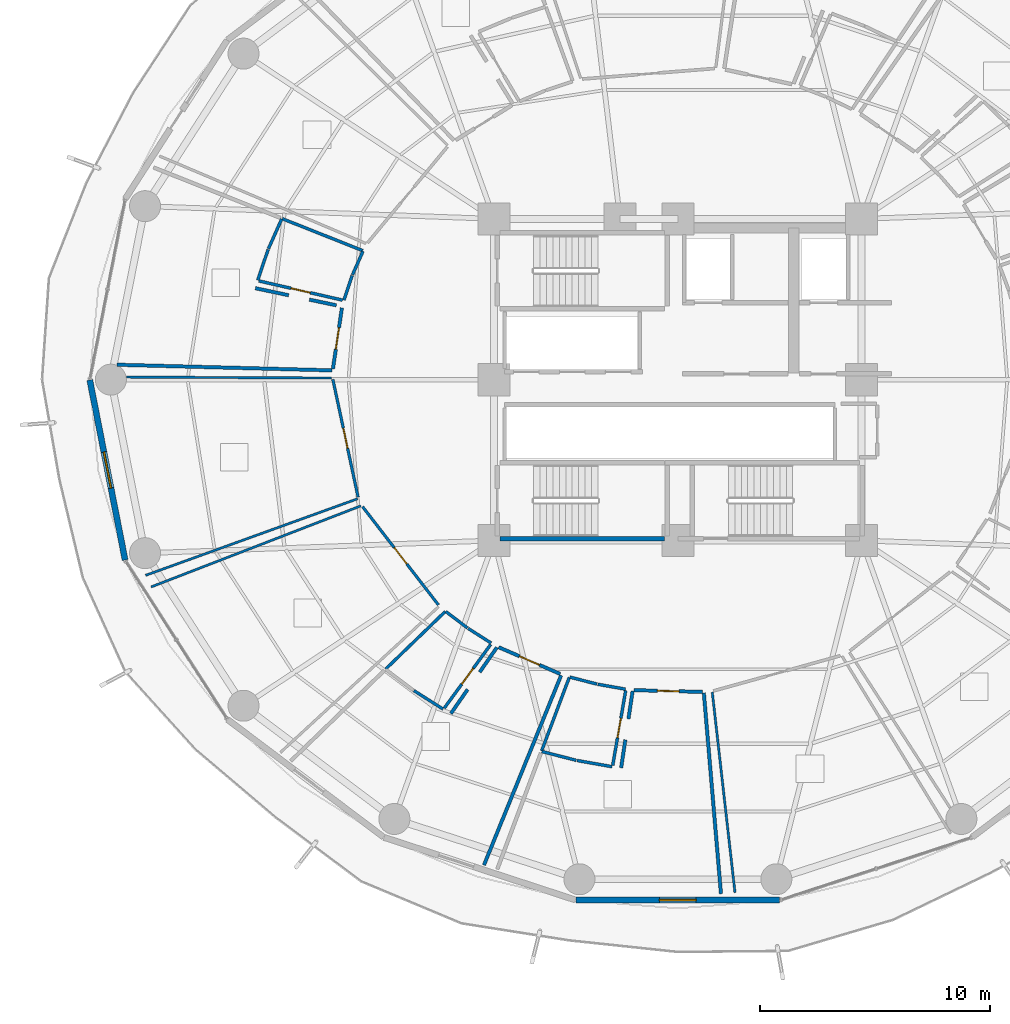
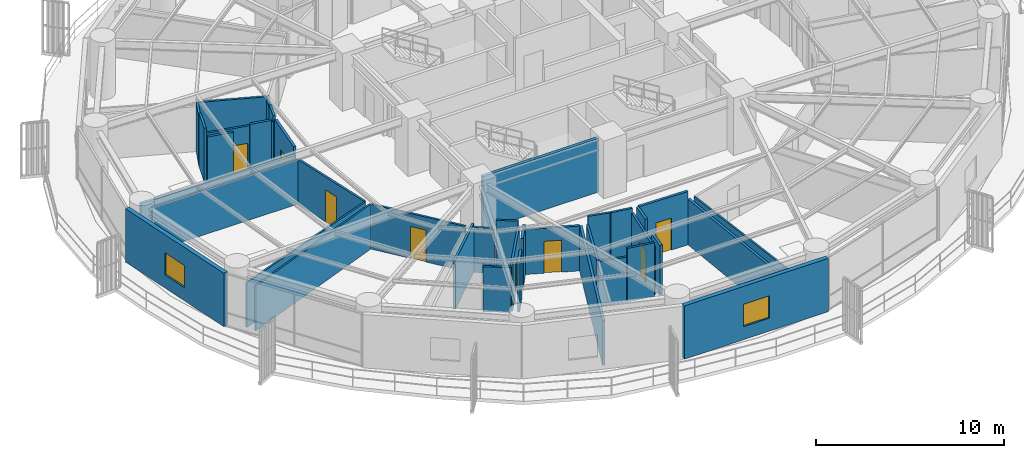
# One storey, part 26 of 34: 38 walls, 8 doors, 2 windows, 10 openings.
"""IFC4 building model written with IfcOpenShell, lengths in metres."""

from ifc_helpers import new_model, si_unit, direction, frame, frame_2d, origin, place, context, subcontext, project, spatial, rectangle, extrude, material, layer, layer_set, type_object, element, fill, save


model = new_model("IFC4")

# Units and contexts
model_context = context("Model", 3, precision=1e-05, world=origin(), true_north=direction((0.0, 1.0)))
body_context = subcontext(model_context, "Body", "Model", "MODEL_VIEW")
ifc_project = project(units=[si_unit("LENGTHUNIT", "METRE"), si_unit("AREAUNIT", "SQUARE_METRE"), si_unit("VOLUMEUNIT", "CUBIC_METRE"), si_unit("PLANEANGLEUNIT", "RADIAN"), si_unit("MASSUNIT", "GRAM", prefix="KILO")], contexts=[model_context])

# Site, building, storey
site_placement = place(None, origin())
site = spatial("IfcSite", under=ifc_project, at=site_placement, CompositionType="ELEMENT")
building_placement = place(site_placement, origin())
building = spatial("IfcBuilding", under=site, at=building_placement, Name="Kelanora Arch Commons", CompositionType="ELEMENT")
storey_placement = place(building_placement, frame((0.0, 0.0, 76.35009765625)))
storey = spatial("IfcBuildingStorey", under=building, at=storey_placement, Name="L19", CompositionType="ELEMENT", Elevation=76.35009765625)

# Wall, opening, door
ifc_material_1 = material(Name="Autoclaved aerated concrete blockwork with fire plaster", Category="masonry")
ifc_layer_1 = layer(ifc_material_1, 0.14990234375)
ifc_layer_set_1 = layer_set([ifc_layer_1], Name="Autoclaved aerated concrete blockwork with fire plaster")
wall_type_1 = type_object("IfcWallType", Name="W-COMP-150", PredefinedType="PARTITIONING", material=ifc_layer_set_1)
wall_1_placement = place(storey_placement, frame((59.377197265625, 61.12353515625, 0.0), z_axis=(0.0, 0.0, 1.0), x_axis=(-0.145640373191, -0.989337597434, 0.0)))
wall_1 = element("IfcWall", 1, at=wall_1_placement, inside=storey, type_object=wall_type_1, Name="Co-Living Studio L19-07 Entry Partition", PredefinedType="PARTITIONING", context=body_context, shape_type="SweptSolid", body=[
    extrude(rectangle(XDim=2.688720703125, YDim=0.14990234375, at=frame_2d((1.34423828125, 0.0))), origin(), (0.0, 0.0, 1.0), 3.47998046875),
])
opening_1_placement = place(wall_1_placement, frame((0.868896484375, 0.0, 0.0)))
opening_1 = element("IfcOpeningElement", 2, at=opening_1_placement, cuts=wall_1, Name="Opening D-CLU1", PredefinedType="OPENING", context=body_context, shape_type="SweptSolid", body=[
    extrude(rectangle(XDim=0.949951171875, YDim=2.080078125, at=frame_2d((0.47509765625, 1.0400390625))), frame((0.0, 0.0849609375, 0.0), z_axis=(0.0, -1.0, 0.0), x_axis=(1.0, 0.0, 0.0)), (0.0, 0.0, 1.0), 0.169921875),
])
ifc_material_2 = material(Name="Solid-core acoustic timber cluster entry fire door", Category="wood")
door_type_1 = type_object("IfcDoorType", Name="D-CLU-95", OperationType="NOTDEFINED", PredefinedType="DOOR", material=ifc_material_2)
door_1_placement = place(opening_1_placement, origin())
door_1 = element("IfcDoor", 3, at=door_1_placement, inside=storey, type_object=door_type_1, Name="Co-Living Studio L19-07 Door", OperationType="SINGLE_SWING_LEFT", OverallHeight=2.080078125, OverallWidth=0.949951171875, PredefinedType="DOOR", context=body_context, shape_type="SweptSolid", body=[
    extrude(rectangle(XDim=0.949951171875, YDim=2.080078125, at=frame_2d((0.47509765625, 1.0400390625))), frame((0.0, 0.02490234375, 0.0), z_axis=(0.0, -1.0, 0.0), x_axis=(1.0, 0.0, 0.0)), (0.0, 0.0, 1.0), 0.050048828125),
])
fill(opening_1, door_1)

wall_2_placement = place(storey_placement, frame((66.200927734375, 46.35498046875, 0.0), z_axis=(0.0, 0.0, 1.0), x_axis=(0.917173751057, -0.398487528503, 0.0)))
wall_2 = element("IfcWall", 4, at=wall_2_placement, inside=storey, type_object=wall_type_1, Name="Co-Living Studio L19-10 Entry Partition", PredefinedType="PARTITIONING", context=body_context, shape_type="SweptSolid", body=[
    extrude(rectangle(XDim=2.918701171875, YDim=0.14990234375, at=frame_2d((1.45947265625, 0.0))), origin(), (0.0, 0.0, 1.0), 2.9248046875),
])
opening_2_placement = place(wall_2_placement, frame((0.98388671875, 0.0, 0.0)))
opening_2 = element("IfcOpeningElement", 5, at=opening_2_placement, cuts=wall_2, Name="Opening D-CLU1", PredefinedType="OPENING", context=body_context, shape_type="SweptSolid", body=[
    extrude(rectangle(XDim=0.949951171875, YDim=2.080078125, at=frame_2d((0.47509765625, 1.0400390625))), frame((0.0, 0.0849609375, 0.0), z_axis=(0.0, -1.0, 0.0), x_axis=(1.0, 0.0, 0.0)), (0.0, 0.0, 1.0), 0.169921875),
])
door_2_placement = place(opening_2_placement, origin())
door_2 = element("IfcDoor", 6, at=door_2_placement, inside=storey, type_object=door_type_1, Name="Co-Living Studio L19-10 Door", OperationType="SINGLE_SWING_LEFT", OverallHeight=2.080078125, OverallWidth=0.949951171875, PredefinedType="DOOR", context=body_context, shape_type="SweptSolid", body=[
    extrude(rectangle(XDim=0.949951171875, YDim=2.080078125, at=frame_2d((0.47509765625, 1.0400390625))), frame((0.0, 0.02490234375, 0.0), z_axis=(0.0, -1.0, 0.0), x_axis=(1.0, 0.0, 0.0)), (0.0, 0.0, 1.0), 0.050048828125),
])
fill(opening_2, door_2)

wall_3_placement = place(storey_placement, frame((72.096923828125, 44.485595703125, 0.0), z_axis=(0.0, 0.0, 1.0), x_axis=(0.999671268913, -0.025638917871, 0.0)))
wall_3 = element("IfcWall", 7, at=wall_3_placement, inside=storey, type_object=wall_type_1, Name="Co-Living Studio L19-11 Entry Partition", PredefinedType="PARTITIONING", context=body_context, shape_type="SweptSolid", body=[
    extrude(rectangle(XDim=2.970947265625, YDim=0.14990234375, at=frame_2d((1.4853515625, 0.0))), origin(), (0.0, 0.0, 1.0), 3.47998046875),
])
opening_3_placement = place(wall_3_placement, frame((1.010009765625, 0.0, 0.0)))
opening_3 = element("IfcOpeningElement", 8, at=opening_3_placement, cuts=wall_3, Name="Opening D-CLU1", PredefinedType="OPENING", context=body_context, shape_type="SweptSolid", body=[
    extrude(rectangle(XDim=0.949951171875, YDim=2.080078125, at=frame_2d((0.47509765625, 1.0400390625))), frame((0.0, 0.0849609375, 0.0), z_axis=(0.0, -1.0, 0.0), x_axis=(1.0, 0.0, 0.0)), (0.0, 0.0, 1.0), 0.169921875),
])
door_3_placement = place(opening_3_placement, origin())
door_3 = element("IfcDoor", 9, at=door_3_placement, inside=storey, type_object=door_type_1, Name="Co-Living Studio L19-11 Door", OperationType="SINGLE_SWING_LEFT", OverallHeight=2.080078125, OverallWidth=0.949951171875, PredefinedType="DOOR", context=body_context, shape_type="SweptSolid", body=[
    extrude(rectangle(XDim=0.949951171875, YDim=2.080078125, at=frame_2d((0.47509765625, 1.0400390625))), frame((0.0, 0.02490234375, 0.0), z_axis=(0.0, -1.0, 0.0), x_axis=(1.0, 0.0, 0.0)), (0.0, 0.0, 1.0), 0.050048828125),
])
fill(opening_3, door_3)

# Walls
wall_4_placement = place(storey_placement, frame((58.93701171875, 58.405029296875, 0.0), z_axis=(0.0, 0.0, 1.0), x_axis=(-0.99965775334, 0.026160584617, 0.0)))
element("IfcWall", 10, at=wall_4_placement, inside=storey, type_object=wall_type_1, Name="Co-Living Studio L19-07 Enclosure Partition 2", PredefinedType="PARTITIONING", context=body_context, shape_type="SweptSolid", body=[
    extrude(rectangle(XDim=9.3603515625, YDim=0.14990234375, at=frame_2d((4.68017578125, 0.0))), origin(), (0.0, 0.0, 1.0), 2.974853515625),
])
wall_5_placement = place(storey_placement, frame((55.613037109375, 61.980712890625, 0.0), z_axis=(0.0, 0.0, 1.0), x_axis=(0.978379851426, -0.206816020472, 0.0)))
element("IfcWall", 11, at=wall_5_placement, inside=storey, type_object=wall_type_1, Name="Co-Living Studio L19-07 Enclosure Partition 7", PredefinedType="PARTITIONING", context=body_context, shape_type="SweptSolid", body=[
    extrude(rectangle(XDim=1.4814453125, YDim=0.14990234375, at=frame_2d((0.74072265625, 0.0))), origin(), (0.0, 0.0, 1.0), 3.1748046875),
])
wall_6_placement = place(storey_placement, frame((57.962890625, 61.48388671875, 0.0), z_axis=(0.0, 0.0, 1.0), x_axis=(0.978361584069, -0.20690241859, 0.0)))
element("IfcWall", 12, at=wall_6_placement, inside=storey, type_object=wall_type_1, Name="Co-Living Studio L19-07 Enclosure Partition 7", PredefinedType="PARTITIONING", context=body_context, shape_type="SweptSolid", body=[
    extrude(rectangle(XDim=1.199951171875, YDim=0.14990234375, at=frame_2d((0.60009765625, 0.0))), origin(), (0.0, 0.0, 1.0), 3.47998046875),
])
wall_7_placement = place(storey_placement, frame((68.91796875, 45.130859375, 0.0), z_axis=(0.0, 0.0, 1.0), x_axis=(-0.376588613193, -0.926380600193, 0.0)))
element("IfcWall", 13, at=wall_7_placement, inside=storey, type_object=wall_type_1, Name="Co-Living Studio L19-10 Enclosure Partition 2", PredefinedType="PARTITIONING", context=body_context, shape_type="SweptSolid", body=[
    extrude(rectangle(XDim=8.9140625, YDim=0.14990234375, at=frame_2d((4.45703125, 0.0))), origin(), (0.0, 0.0, 1.0), 2.9248046875),
])
wall_8_placement = place(storey_placement, frame((64.119873046875, 43.46875, 0.0), z_axis=(0.0, 0.0, 1.0), x_axis=(0.571339432424, 0.820713867897, 0.0)))
element("IfcWall", 14, at=wall_8_placement, inside=storey, type_object=wall_type_1, Name="Co-Living Studio L19-10 Enclosure Partition 7", PredefinedType="PARTITIONING", context=body_context, shape_type="SweptSolid", body=[
    extrude(rectangle(XDim=1.274658203125, YDim=0.14990234375, at=frame_2d((0.63720703125, 0.0))), origin(), (0.0, 0.0, 1.0), 3.1748046875),
])
wall_9_placement = place(storey_placement, frame((65.3740234375, 45.270263671875, 0.0), z_axis=(0.0, 0.0, 1.0), x_axis=(0.57134818524, 0.82070777456, 0.0)))
element("IfcWall", 15, at=wall_9_placement, inside=storey, type_object=wall_type_1, Name="Co-Living Studio L19-10 Enclosure Partition 7", PredefinedType="PARTITIONING", context=body_context, shape_type="SweptSolid", body=[
    extrude(rectangle(XDim=1.31103515625, YDim=0.14990234375, at=frame_2d((0.655517578125, 0.0))), origin(), (0.0, 0.0, 1.0), 3.23486328125),
])
wall_10_placement = place(storey_placement, frame((75.13037109375, 44.3681640625, 0.0), z_axis=(0.0, 0.0, 1.0), x_axis=(0.085031915446, -0.996378228062, 0.0)))
element("IfcWall", 16, at=wall_10_placement, inside=storey, type_object=wall_type_1, Name="Co-Living Studio L19-11 Enclosure Partition 2", PredefinedType="PARTITIONING", context=body_context, shape_type="SweptSolid", body=[
    extrude(rectangle(XDim=8.777099609375, YDim=0.14990234375, at=frame_2d((4.388671875, 0.0))), origin(), (0.0, 0.0, 1.0), 2.974853515625),
])
wall_11_placement = place(storey_placement, frame((71.531005859375, 41.103515625, 0.0), z_axis=(0.0, 0.0, 1.0), x_axis=(0.147866770411, 0.989007289259, 0.0)))
element("IfcWall", 17, at=wall_11_placement, inside=storey, type_object=wall_type_1, Name="Co-Living Studio L19-11 Enclosure Partition 7", PredefinedType="PARTITIONING", context=body_context, shape_type="SweptSolid", body=[
    extrude(rectangle(XDim=1.235107421875, YDim=0.14990234375, at=frame_2d((0.61767578125, 0.0))), origin(), (0.0, 0.0, 1.0), 3.1748046875),
])
wall_12_placement = place(storey_placement, frame((71.849609375, 43.235107421875, 0.0), z_axis=(0.0, 0.0, 1.0), x_axis=(0.14797037904, 0.988991793154, 0.0)))
element("IfcWall", 18, at=wall_12_placement, inside=storey, type_object=wall_type_1, Name="Co-Living Studio L19-11 Enclosure Partition 7", PredefinedType="PARTITIONING", context=body_context, shape_type="SweptSolid", body=[
    extrude(rectangle(XDim=1.225830078125, YDim=0.14990234375, at=frame_2d((0.61279296875, 0.0))), origin(), (0.0, 0.0, 1.0), 3.47998046875),
])

# Wall, opening, window
ifc_material_3 = material(Name="Precast concrete C40/50 with terracotta rainscreen", Category="masonry")
ifc_layer_2 = layer(ifc_material_3, 0.260009765625)
ifc_layer_set_2 = layer_set([ifc_layer_2], Name="Precast concrete C40/50 with terracotta rainscreen")
wall_type_2 = type_object("IfcWallType", Name="W-EXT-TC", PredefinedType="SOLIDWALL", material=ifc_layer_set_2)
wall_13_placement = place(storey_placement, frame((48.40283203125, 57.9853515625, 0.0), z_axis=(0.0, 0.0, 1.0), x_axis=(0.192581843632, -0.981280914674, 0.0)))
wall_13 = element("IfcWall", 19, at=wall_13_placement, inside=storey, type_object=wall_type_2, Name="Terracotta Exterior Wall L19-B09", PredefinedType="SOLIDWALL", context=body_context, shape_type="SweptSolid", body=[
    extrude(rectangle(XDim=7.986572265625, YDim=0.260009765625, at=frame_2d((3.9931640625, 0.0))), origin(), (0.0, 0.0, 1.0), 3.474853515625),
])
opening_4_placement = place(wall_13_placement, frame((3.193115234375, 0.0, 0.85009765625)))
opening_4 = element("IfcOpeningElement", 20, at=opening_4_placement, cuts=wall_13, Name="Opening WN-01", PredefinedType="OPENING", context=body_context, shape_type="SweptSolid", body=[
    extrude(rectangle(XDim=1.60009765625, YDim=1.449951171875, at=frame_2d((0.800048828125, 0.72509765625))), frame((0.0, 0.14013671875, 0.0), z_axis=(0.0, -1.0, 0.0), x_axis=(1.0, 0.0, 0.0)), (0.0, 0.0, 1.0), 0.280029296875),
])
ifc_material_4 = material(Name="Terracotta-anodised aluminium frame with operable low-E glazing", Category="masonry")
window_type = type_object("IfcWindowType", Name="WIN-CL-18", PartitioningType="DOUBLE_PANEL_VERTICAL", PredefinedType="WINDOW", material=ifc_material_4)
window_1_placement = place(opening_4_placement, origin())
window_1 = element("IfcWindow", 21, at=window_1_placement, inside=storey, type_object=window_type, Name="Co-Living Operable Window L19-B09", OverallHeight=1.449951171875, OverallWidth=1.60009765625, PartitioningType="SINGLE_PANEL", PredefinedType="WINDOW", context=body_context, shape_type="SweptSolid", body=[
    extrude(rectangle(XDim=1.60009765625, YDim=1.449951171875, at=frame_2d((0.800048828125, 0.72509765625))), frame((0.0, 0.030029296875, 0.0), z_axis=(0.0, -1.0, 0.0), x_axis=(1.0, 0.0, 0.0)), (0.0, 0.0, 1.0), 0.06005859375),
])
fill(opening_4, window_1)

wall_14_placement = place(storey_placement, frame((69.569580078125, 35.349365234375, 0.0), z_axis=(0.0, 0.0, 1.0), x_axis=(1.0, 0.0, 0.0)))
wall_14 = element("IfcWall", 22, at=wall_14_placement, inside=storey, type_object=wall_type_2, Name="Terracotta Exterior Wall L19-B13", PredefinedType="SOLIDWALL", context=body_context, shape_type="SweptSolid", body=[
    extrude(rectangle(XDim=8.86083984375, YDim=0.260009765625, at=frame_2d((4.430419921875, 0.0))), origin(), (0.0, 0.0, 1.0), 3.474853515625),
])
opening_5_placement = place(wall_14_placement, frame((3.6298828125, 0.0, 0.85009765625)))
opening_5 = element("IfcOpeningElement", 23, at=opening_5_placement, cuts=wall_14, Name="Opening WN-01", PredefinedType="OPENING", context=body_context, shape_type="SweptSolid", body=[
    extrude(rectangle(XDim=1.60009765625, YDim=1.449951171875, at=frame_2d((0.800048828125, 0.72509765625))), frame((0.0, 0.14013671875, 0.0), z_axis=(0.0, -1.0, 0.0), x_axis=(1.0, 0.0, 0.0)), (0.0, 0.0, 1.0), 0.280029296875),
])
window_2_placement = place(opening_5_placement, origin())
window_2 = element("IfcWindow", 24, at=window_2_placement, inside=storey, type_object=window_type, Name="Co-Living Operable Window L19-B13", OverallHeight=1.449951171875, OverallWidth=1.60009765625, PartitioningType="SINGLE_PANEL", PredefinedType="WINDOW", context=body_context, shape_type="SweptSolid", body=[
    extrude(rectangle(XDim=1.60009765625, YDim=1.449951171875, at=frame_2d((0.800048828125, 0.72509765625))), frame((0.0, 0.030029296875, 0.0), z_axis=(0.0, -1.0, 0.0), x_axis=(1.0, 0.0, 0.0)), (0.0, 0.0, 1.0), 0.06005859375),
])
fill(opening_5, window_2)

# Walls
ifc_material_5 = material(Name="Lightweight fire-rated acoustic stud partition")
ifc_layer_3 = layer(ifc_material_5, 0.10009765625)
ifc_layer_set_3 = layer_set([ifc_layer_3], Name="Lightweight fire-rated acoustic stud partition")
wall_type_3 = type_object("IfcWallType", Name="W-PART-100", PredefinedType="PARTITIONING", material=ifc_layer_set_3)
wall_15_placement = place(storey_placement, frame((60.056396484375, 52.814453125, 0.0), z_axis=(0.0, 0.0, 1.0), x_axis=(-0.940543515483, -0.339673218671, 0.0)))
element("IfcWall", 25, at=wall_15_placement, inside=storey, type_object=wall_type_3, Name="Quiet Seminar Study Room L19-08 Enclosure Partition 2", PredefinedType="PARTITIONING", context=body_context, shape_type="SweptSolid", body=[
    extrude(rectangle(XDim=9.805908203125, YDim=0.10009765625, at=frame_2d((4.90283203125, 0.0))), origin(), (0.0, 0.0, 1.0), 2.9248046875),
])
wall_16_placement = place(storey_placement, frame((50.0107421875, 58.11279296875, 0.0), z_axis=(0.0, 0.0, 1.0), x_axis=(0.999989173449, -0.004653276749, 0.0)))
element("IfcWall", 26, at=wall_16_placement, inside=storey, type_object=wall_type_3, Name="Quiet Seminar Study Room L19-08 Enclosure Partition 4", PredefinedType="PARTITIONING", context=body_context, shape_type="SweptSolid", body=[
    extrude(rectangle(XDim=8.919189453125, YDim=0.10009765625, at=frame_2d((4.45947265625, 0.0))), origin(), (0.0, 0.0, 1.0), 2.9248046875),
])
wall_17_placement = place(storey_placement, frame((51.072265625, 48.978515625, 0.0), z_axis=(0.0, 0.0, 1.0), x_axis=(0.932757339165, 0.360504849112, 0.0)))
element("IfcWall", 27, at=wall_17_placement, inside=storey, type_object=wall_type_3, Name="Communal Dining and Social Hall L19-09 Enclosure Partition 4", PredefinedType="PARTITIONING", context=body_context, shape_type="SweptSolid", body=[
    extrude(rectangle(XDim=9.786376953125, YDim=0.10009765625, at=frame_2d((4.89306640625, 0.0))), origin(), (0.0, 0.0, 1.0), 2.9248046875),
])
wall_18_placement = place(storey_placement, frame((76.486572265625, 35.670654296875, 0.0), z_axis=(0.0, 0.0, 1.0), x_axis=(-0.112612784854, 0.993638948858, 0.0)))
element("IfcWall", 28, at=wall_18_placement, inside=storey, type_object=wall_type_3, Name="Quiet Seminar Study Room L19-12 Enclosure Partition 4", PredefinedType="PARTITIONING", context=body_context, shape_type="SweptSolid", body=[
    extrude(rectangle(XDim=8.782470703125, YDim=0.10009765625, at=frame_2d((4.39111328125, 0.0))), origin(), (0.0, 0.0, 1.0), 2.974853515625),
])

# Wall, opening, door
ifc_material_6 = material(Name="Acoustic twin-stud fire-rated gypsum partition")
ifc_layer_4 = layer(ifc_material_6, 0.1201171875)
ifc_layer_set_4 = layer_set([ifc_layer_4], Name="Acoustic twin-stud fire-rated gypsum partition")
wall_type_4 = type_object("IfcWallType", Name="W-PART-120", PredefinedType="PARTITIONING", material=ifc_layer_set_4)
wall_19_placement = place(storey_placement, frame((58.982666015625, 58.01220703125, 0.0), z_axis=(0.0, 0.0, 1.0), x_axis=(0.209586341226, -0.977790143933, 0.0)))
wall_19 = element("IfcWall", 29, at=wall_19_placement, inside=storey, type_object=wall_type_4, Name="Quiet Seminar Study Room L19-08 Entry Partition", PredefinedType="PARTITIONING", context=body_context, shape_type="SweptSolid", body=[
    extrude(rectangle(XDim=5.241943359375, YDim=0.1201171875, at=frame_2d((2.62109375, 0.0))), origin(), (0.0, 0.0, 1.0), 2.9248046875),
])
opening_6_placement = place(wall_19_placement, frame((2.1708984375, 0.0, 0.0)))
opening_6 = element("IfcOpeningElement", 30, at=opening_6_placement, cuts=wall_19, Name="Opening D-RM1", PredefinedType="OPENING", context=body_context, shape_type="SweptSolid", body=[
    extrude(rectangle(XDim=0.89990234375, YDim=2.080078125, at=frame_2d((0.449951171875, 1.0400390625))), frame((0.0, 0.070068359375, 0.0), z_axis=(0.0, -1.0, 0.0), x_axis=(1.0, 0.0, 0.0)), (0.0, 0.0, 1.0), 0.14013671875),
])
ifc_material_7 = material(Name="Acoustic fire-rated timber study and lounge door", Category="wood")
door_type_2 = type_object("IfcDoorType", Name="D-ROOM-90", OperationType="NOTDEFINED", PredefinedType="DOOR", material=ifc_material_7)
door_4_placement = place(opening_6_placement, origin())
door_4 = element("IfcDoor", 31, at=door_4_placement, inside=storey, type_object=door_type_2, Name="Quiet Seminar Study Room L19-08 Door", OperationType="SINGLE_SWING_RIGHT", OverallHeight=2.080078125, OverallWidth=0.89990234375, PredefinedType="DOOR", context=body_context, shape_type="SweptSolid", body=[
    extrude(rectangle(XDim=0.89990234375, YDim=2.080078125, at=frame_2d((0.449951171875, 1.0400390625))), frame((0.0, 0.02490234375, 0.0), z_axis=(0.0, -1.0, 0.0), x_axis=(1.0, 0.0, 0.0)), (0.0, 0.0, 1.0), 0.050048828125),
])
fill(opening_6, door_4)

wall_20_placement = place(storey_placement, frame((60.274658203125, 52.473388671875, 0.0), z_axis=(0.0, 0.0, 1.0), x_axis=(0.611167326409, -0.791501420801, 0.0)))
wall_20 = element("IfcWall", 32, at=wall_20_placement, inside=storey, type_object=wall_type_4, Name="Communal Dining and Social Hall L19-09 Entry Partition", PredefinedType="PARTITIONING", context=body_context, shape_type="SweptSolid", body=[
    extrude(rectangle(XDim=5.4072265625, YDim=0.1201171875, at=frame_2d((2.70361328125, 0.0))), origin(), (0.0, 0.0, 1.0), 2.9248046875),
])
opening_7_placement = place(wall_20_placement, frame((2.25390625, 0.0, 0.0)))
opening_7 = element("IfcOpeningElement", 33, at=opening_7_placement, cuts=wall_20, Name="Opening D-RM1", PredefinedType="OPENING", context=body_context, shape_type="SweptSolid", body=[
    extrude(rectangle(XDim=0.89990234375, YDim=2.080078125, at=frame_2d((0.449951171875, 1.0400390625))), frame((0.0, 0.070068359375, 0.0), z_axis=(0.0, -1.0, 0.0), x_axis=(1.0, 0.0, 0.0)), (0.0, 0.0, 1.0), 0.14013671875),
])
door_5_placement = place(opening_7_placement, origin())
door_5 = element("IfcDoor", 34, at=door_5_placement, inside=storey, type_object=door_type_2, Name="Communal Dining and Social Hall L19-09 Door", OperationType="SINGLE_SWING_LEFT", OverallHeight=2.080078125, OverallWidth=0.89990234375, PredefinedType="DOOR", context=body_context, shape_type="SweptSolid", body=[
    extrude(rectangle(XDim=0.89990234375, YDim=2.080078125, at=frame_2d((0.449951171875, 1.0400390625))), frame((0.0, 0.02490234375, 0.0), z_axis=(0.0, -1.0, 0.0), x_axis=(1.0, 0.0, 0.0)), (0.0, 0.0, 1.0), 0.050048828125),
])
fill(opening_7, door_5)

# Wall
ifc_material_8 = material(Name="Concrete C40/50", Category="concrete")
ifc_layer_5 = layer(ifc_material_8, 0.199951171875)
ifc_layer_set_5 = layer_set([ifc_layer_5], Name="Concrete C40/50")
wall_type_5 = type_object("IfcWallType", Name="W-STAIR-200", PredefinedType="SHEAR", material=ifc_layer_set_5)
wall_21_placement = place(storey_placement, frame((66.260009765625, 51.080078125, 0.0), z_axis=(0.0, 0.0, 1.0), x_axis=(1.0, 0.0, 0.0)))
element("IfcWall", 35, at=wall_21_placement, inside=storey, type_object=wall_type_5, Name="Stair ST-T3 Shaft Wall S L19", PredefinedType="SHEAR", context=body_context, shape_type="SweptSolid", body=[
    extrude(rectangle(XDim=7.159912109375, YDim=0.199951171875, at=frame_2d((3.580078125, 0.0))), origin(), (0.0, 0.0, 1.0), 3.489990234375),
])

# Wall, opening, door
ifc_material_9 = material(Name="Moisture-resistant fire-rated cement-board plumbing wall")
ifc_layer_6 = layer(ifc_material_9, 0.1298828125)
ifc_layer_set_6 = layer_set([ifc_layer_6], Name="Moisture-resistant fire-rated cement-board plumbing wall")
wall_type_6 = type_object("IfcWallType", Name="W-WET-120", PredefinedType="PLUMBINGWALL", material=ifc_layer_set_6)
wall_22_placement = place(storey_placement, frame((59.400390625, 61.46240234375, 0.0), z_axis=(0.0, 0.0, 1.0), x_axis=(-0.974573904169, 0.224066296689, 0.0)))
wall_22 = element("IfcWall", 36, at=wall_22_placement, inside=storey, type_object=wall_type_6, Name="En-Suite Shower WC L19-07 Entry Partition", PredefinedType="PLUMBINGWALL", context=body_context, shape_type="SweptSolid", body=[
    extrude(rectangle(XDim=3.73193359375, YDim=0.1298828125, at=frame_2d((1.865966796875, 0.0))), origin(), (0.0, 0.0, 1.0), 3.1748046875),
])
opening_8_placement = place(wall_22_placement, frame((1.43603515625, 0.0, 0.0)))
opening_8 = element("IfcOpeningElement", 37, at=opening_8_placement, cuts=wall_22, Name="Opening D-BT1", PredefinedType="OPENING", context=body_context, shape_type="SweptSolid", body=[
    extrude(rectangle(XDim=0.860107421875, YDim=2.050048828125, at=frame_2d((0.43017578125, 1.02490234375))), frame((0.0, 0.074951171875, 0.0), z_axis=(0.0, -1.0, 0.0), x_axis=(1.0, 0.0, 0.0)), (0.0, 0.0, 1.0), 0.14990234375),
])
ifc_material_10 = material(Name="Moisture-sealed fire-rated accessible bathroom door")
door_type_3 = type_object("IfcDoorType", Name="D-BATH-85", OperationType="NOTDEFINED", PredefinedType="DOOR", material=ifc_material_10)
door_6_placement = place(opening_8_placement, origin())
door_6 = element("IfcDoor", 38, at=door_6_placement, inside=storey, type_object=door_type_3, Name="En-Suite Shower WC L19-07 Door", OperationType="SINGLE_SWING_RIGHT", OverallHeight=2.050048828125, OverallWidth=0.860107421875, PredefinedType="DOOR", context=body_context, shape_type="SweptSolid", body=[
    extrude(rectangle(XDim=0.860107421875, YDim=2.050048828125, at=frame_2d((0.43017578125, 1.02490234375))), frame((0.0, 0.02490234375, 0.0), z_axis=(0.0, -1.0, 0.0), x_axis=(1.0, 0.0, 0.0)), (0.0, 0.0, 1.0), 0.050048828125),
])
fill(opening_8, door_6)

wall_23_placement = place(storey_placement, frame((65.854736328125, 46.4765625, 0.0), z_axis=(0.0, 0.0, 1.0), x_axis=(-0.589016516568, -0.808120995402, 0.0)))
wall_23 = element("IfcWall", 39, at=wall_23_placement, inside=storey, type_object=wall_type_6, Name="En-Suite Shower WC L19-10 Entry Partition", PredefinedType="PLUMBINGWALL", context=body_context, shape_type="SweptSolid", body=[
    extrude(rectangle(XDim=3.435302734375, YDim=0.1298828125, at=frame_2d((1.7177734375, 0.0))), origin(), (0.0, 0.0, 1.0), 3.1748046875),
])
opening_9_placement = place(wall_23_placement, frame((1.2880859375, 0.0, 0.0)))
opening_9 = element("IfcOpeningElement", 40, at=opening_9_placement, cuts=wall_23, Name="Opening D-BT1", PredefinedType="OPENING", context=body_context, shape_type="SweptSolid", body=[
    extrude(rectangle(XDim=0.860107421875, YDim=2.050048828125, at=frame_2d((0.43017578125, 1.02490234375))), frame((0.0, 0.074951171875, 0.0), z_axis=(0.0, -1.0, 0.0), x_axis=(1.0, 0.0, 0.0)), (0.0, 0.0, 1.0), 0.14990234375),
])
door_7_placement = place(opening_9_placement, origin())
door_7 = element("IfcDoor", 41, at=door_7_placement, inside=storey, type_object=door_type_3, Name="En-Suite Shower WC L19-10 Door", OperationType="SINGLE_SWING_RIGHT", OverallHeight=2.050048828125, OverallWidth=0.860107421875, PredefinedType="DOOR", context=body_context, shape_type="SweptSolid", body=[
    extrude(rectangle(XDim=0.860107421875, YDim=2.050048828125, at=frame_2d((0.43017578125, 1.02490234375))), frame((0.0, 0.02490234375, 0.0), z_axis=(0.0, -1.0, 0.0), x_axis=(1.0, 0.0, 0.0)), (0.0, 0.0, 1.0), 0.050048828125),
])
fill(opening_9, door_7)

wall_24_placement = place(storey_placement, frame((71.727783203125, 44.4658203125, 0.0), z_axis=(0.0, 0.0, 1.0), x_axis=(-0.170592496202, -0.985341666753, 0.0)))
wall_24 = element("IfcWall", 42, at=wall_24_placement, inside=storey, type_object=wall_type_6, Name="En-Suite Shower WC L19-11 Entry Partition", PredefinedType="PLUMBINGWALL", context=body_context, shape_type="SweptSolid", body=[
    extrude(rectangle(XDim=3.302978515625, YDim=0.1298828125, at=frame_2d((1.6513671875, 0.0))), origin(), (0.0, 0.0, 1.0), 3.1748046875),
])
opening_10_placement = place(wall_24_placement, frame((1.221923828125, 0.0, 0.0)))
opening_10 = element("IfcOpeningElement", 43, at=opening_10_placement, cuts=wall_24, Name="Opening D-BT1", PredefinedType="OPENING", context=body_context, shape_type="SweptSolid", body=[
    extrude(rectangle(XDim=0.860107421875, YDim=2.050048828125, at=frame_2d((0.43017578125, 1.02490234375))), frame((0.0, 0.074951171875, 0.0), z_axis=(0.0, -1.0, 0.0), x_axis=(1.0, 0.0, 0.0)), (0.0, 0.0, 1.0), 0.14990234375),
])
door_8_placement = place(opening_10_placement, origin())
door_8 = element("IfcDoor", 44, at=door_8_placement, inside=storey, type_object=door_type_3, Name="En-Suite Shower WC L19-11 Door", OperationType="SINGLE_SWING_RIGHT", OverallHeight=2.050048828125, OverallWidth=0.860107421875, PredefinedType="DOOR", context=body_context, shape_type="SweptSolid", body=[
    extrude(rectangle(XDim=0.860107421875, YDim=2.050048828125, at=frame_2d((0.43017578125, 1.02490234375))), frame((0.0, 0.02490234375, 0.0), z_axis=(0.0, -1.0, 0.0), x_axis=(1.0, 0.0, 0.0)), (0.0, 0.0, 1.0), 0.050048828125),
])
fill(opening_10, door_8)

# Walls
wall_25_placement = place(storey_placement, frame((60.2939453125, 63.5908203125, 0.0), z_axis=(0.0, 0.0, 1.0), x_axis=(-0.40547338745, -0.914106849372, 0.0)))
element("IfcWall", 45, at=wall_25_placement, inside=storey, type_object=wall_type_6, Name="En-Suite Shower WC L19-07 Enclosure Partition 1", PredefinedType="PLUMBINGWALL", context=body_context, shape_type="SweptSolid", body=[
    extrude(rectangle(XDim=1.1240234375, YDim=0.1298828125, at=frame_2d((0.56201171875, 0.0))), origin(), (0.0, 0.0, 1.0), 3.23486328125),
])
wall_26_placement = place(storey_placement, frame((59.823486328125, 62.526123046875, 0.0), z_axis=(0.0, 0.0, 1.0), x_axis=(-0.320617291593, -0.947208821925, 0.0)))
element("IfcWall", 46, at=wall_26_placement, inside=storey, type_object=wall_type_6, Name="En-Suite Shower WC L19-07 Enclosure Partition 2", PredefinedType="PLUMBINGWALL", context=body_context, shape_type="SweptSolid", body=[
    extrude(rectangle(XDim=1.1171875, YDim=0.1298828125, at=frame_2d((0.55859375, 0.0))), origin(), (0.0, 0.0, 1.0), 3.47998046875),
])
wall_27_placement = place(storey_placement, frame((55.71142578125, 62.330810546875, 0.0), z_axis=(0.0, 0.0, 1.0), x_axis=(0.322409215332, 0.946600389747, 0.0)))
element("IfcWall", 47, at=wall_27_placement, inside=storey, type_object=wall_type_6, Name="En-Suite Shower WC L19-07 Enclosure Partition 4", PredefinedType="PLUMBINGWALL", context=body_context, shape_type="SweptSolid", body=[
    extrude(rectangle(XDim=1.408447265625, YDim=0.1298828125, at=frame_2d((0.7041015625, 0.0))), origin(), (0.0, 0.0, 1.0), 3.47998046875),
])
wall_28_placement = place(storey_placement, frame((56.18017578125, 63.701416015625, 0.0), z_axis=(0.0, 0.0, 1.0), x_axis=(0.407258007738, 0.913313152831, 0.0)))
element("IfcWall", 48, at=wall_28_placement, inside=storey, type_object=wall_type_6, Name="En-Suite Shower WC L19-07 Enclosure Partition 5", PredefinedType="PLUMBINGWALL", context=body_context, shape_type="SweptSolid", body=[
    extrude(rectangle(XDim=1.416015625, YDim=0.1298828125, at=frame_2d((0.7080078125, 0.0))), origin(), (0.0, 0.0, 1.0), 3.1748046875),
])
wall_29_placement = place(storey_placement, frame((56.78369140625, 65.005615234375, 0.0), z_axis=(0.0, 0.0, 1.0), x_axis=(0.929457187308, -0.368929989242, 0.0)))
element("IfcWall", 49, at=wall_29_placement, inside=storey, type_object=wall_type_6, Name="En-Suite Shower WC L19-07 Enclosure Partition 6", PredefinedType="PLUMBINGWALL", context=body_context, shape_type="SweptSolid", body=[
    extrude(rectangle(XDim=3.765380859375, YDim=0.1298828125, at=frame_2d((1.8828125, 0.0))), origin(), (0.0, 0.0, 1.0), 3.1748046875),
])
wall_30_placement = place(storey_placement, frame((63.90087890625, 47.906982421875, 0.0), z_axis=(0.0, 0.0, 1.0), x_axis=(0.796629313308, -0.604468144056, 0.0)))
element("IfcWall", 50, at=wall_30_placement, inside=storey, type_object=wall_type_6, Name="En-Suite Shower WC L19-10 Enclosure Partition 1", PredefinedType="PLUMBINGWALL", context=body_context, shape_type="SweptSolid", body=[
    extrude(rectangle(XDim=1.177734375, YDim=0.1298828125, at=frame_2d((0.5888671875, 0.0))), origin(), (0.0, 0.0, 1.0), 2.9248046875),
])
wall_31_placement = place(storey_placement, frame((64.871826171875, 47.17236328125, 0.0), z_axis=(0.0, 0.0, 1.0), x_axis=(0.843822426876, -0.536622504095, 0.0)))
element("IfcWall", 51, at=wall_31_placement, inside=storey, type_object=wall_type_6, Name="En-Suite Shower WC L19-10 Enclosure Partition 2", PredefinedType="PLUMBINGWALL", context=body_context, shape_type="SweptSolid", body=[
    extrude(rectangle(XDim=1.1865234375, YDim=0.1298828125, at=frame_2d((0.59326171875, 0.0))), origin(), (0.0, 0.0, 1.0), 3.47998046875),
])
wall_32_placement = place(storey_placement, frame((63.779052734375, 43.66259765625, 0.0), z_axis=(0.0, 0.0, 1.0), x_axis=(-0.844931806669, 0.53487404319, 0.0)))
element("IfcWall", 52, at=wall_32_placement, inside=storey, type_object=wall_type_6, Name="En-Suite Shower WC L19-10 Enclosure Partition 4", PredefinedType="PLUMBINGWALL", context=body_context, shape_type="SweptSolid", body=[
    extrude(rectangle(XDim=1.500732421875, YDim=0.1298828125, at=frame_2d((0.75048828125, 0.0))), origin(), (0.0, 0.0, 1.0), 2.9248046875),
])
wall_33_placement = place(storey_placement, frame((61.287353515625, 45.408935546875, 0.0), z_axis=(0.0, 0.0, 1.0), x_axis=(0.719134400332, 0.694871005481, 0.0)))
element("IfcWall", 53, at=wall_33_placement, inside=storey, type_object=wall_type_6, Name="En-Suite Shower WC L19-10 Enclosure Partition 6", PredefinedType="PLUMBINGWALL", context=body_context, shape_type="SweptSolid", body=[
    extrude(rectangle(XDim=3.59228515625, YDim=0.1298828125, at=frame_2d((1.796142578125, 0.0))), origin(), (0.0, 0.0, 1.0), 3.1748046875),
])
wall_34_placement = place(storey_placement, frame((69.30029296875, 45.053955078125, 0.0), z_axis=(0.0, 0.0, 1.0), x_axis=(0.968247539973, -0.249993402585, 0.0)))
element("IfcWall", 54, at=wall_34_placement, inside=storey, type_object=wall_type_6, Name="En-Suite Shower WC L19-11 Enclosure Partition 1", PredefinedType="PLUMBINGWALL", context=body_context, shape_type="SweptSolid", body=[
    extrude(rectangle(XDim=1.2158203125, YDim=0.1298828125, at=frame_2d((0.60791015625, 0.0))), origin(), (0.0, 0.0, 1.0), 3.47998046875),
])
wall_35_placement = place(storey_placement, frame((70.5166015625, 44.741455078125, 0.0), z_axis=(0.0, 0.0, 1.0), x_axis=(0.98466652622, -0.174447218786, 0.0)))
element("IfcWall", 55, at=wall_35_placement, inside=storey, type_object=wall_type_6, Name="En-Suite Shower WC L19-11 Enclosure Partition 2", PredefinedType="PLUMBINGWALL", context=body_context, shape_type="SweptSolid", body=[
    extrude(rectangle(XDim=1.220458984375, YDim=0.1298828125, at=frame_2d((0.6103515625, 0.0))), origin(), (0.0, 0.0, 1.0), 3.47998046875),
])
wall_36_placement = place(storey_placement, frame((71.13427734375, 41.155517578125, 0.0), z_axis=(0.0, 0.0, 1.0), x_axis=(-0.984831248295, 0.173514876545, 0.0)))
element("IfcWall", 56, at=wall_36_placement, inside=storey, type_object=wall_type_6, Name="En-Suite Shower WC L19-11 Enclosure Partition 4", PredefinedType="PLUMBINGWALL", context=body_context, shape_type="SweptSolid", body=[
    extrude(rectangle(XDim=1.544921875, YDim=0.1298828125, at=frame_2d((0.7724609375, 0.0))), origin(), (0.0, 0.0, 1.0), 3.47998046875),
])
wall_37_placement = place(storey_placement, frame((69.573486328125, 41.431884765625, 0.0), z_axis=(0.0, 0.0, 1.0), x_axis=(-0.968594416315, 0.248646046989, 0.0)))
element("IfcWall", 57, at=wall_37_placement, inside=storey, type_object=wall_type_6, Name="En-Suite Shower WC L19-11 Enclosure Partition 5", PredefinedType="PLUMBINGWALL", context=body_context, shape_type="SweptSolid", body=[
    extrude(rectangle(XDim=1.54052734375, YDim=0.1298828125, at=frame_2d((0.770263671875, 0.0))), origin(), (0.0, 0.0, 1.0), 2.9248046875),
])
wall_38_placement = place(storey_placement, frame((68.069091796875, 41.838623046875, 0.0), z_axis=(0.0, 0.0, 1.0), x_axis=(0.352202531552, 0.935923809275, 0.0)))
element("IfcWall", 58, at=wall_38_placement, inside=storey, type_object=wall_type_6, Name="En-Suite Shower WC L19-11 Enclosure Partition 6", PredefinedType="PLUMBINGWALL", context=body_context, shape_type="SweptSolid", body=[
    extrude(rectangle(XDim=3.4208984375, YDim=0.1298828125, at=frame_2d((1.71044921875, 0.0))), origin(), (0.0, 0.0, 1.0), 2.9248046875),
])

save(model, "model.ifc")
